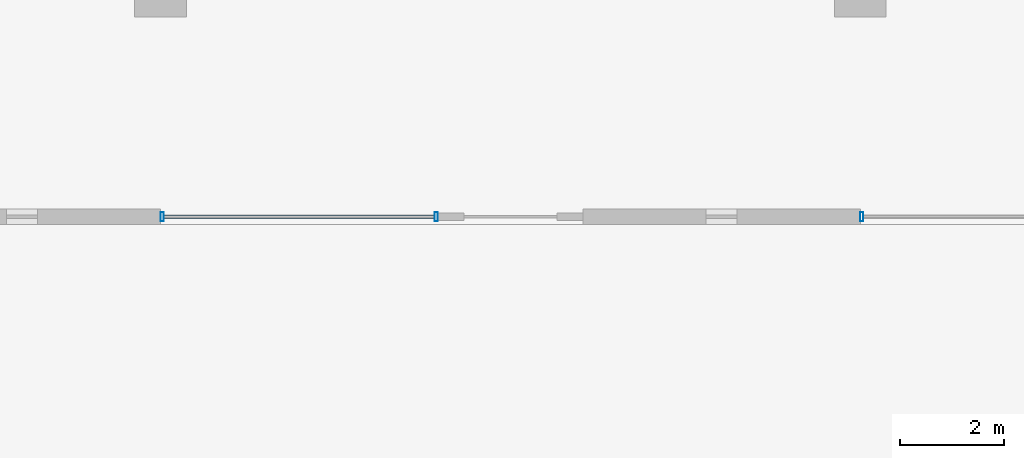
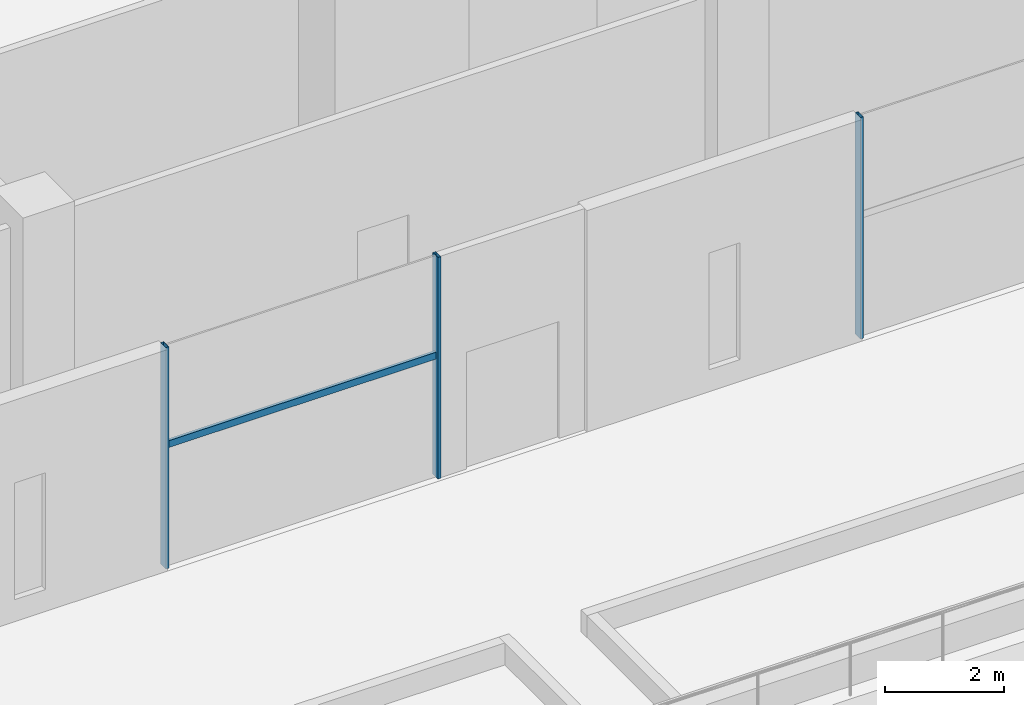
# One storey, part 5 of 49: 4 members, 2 elements without a shape of their own.
"""IFC4 building model written with IfcOpenShell, lengths in metres."""

from ifc_helpers import new_model, si_unit, direction, frame, origin, origin_2d, place, context, subcontext, project, spatial, hollow_rectangle, extrude, material, material_profile, profile_set, type_object, element, aggregate, save


model = new_model("IFC4")

# Units and contexts
model_context = context("Model", 3, precision=1e-05, world=origin(), true_north=direction((0.0, 1.0)))
body_context = subcontext(model_context, "Body", "Model", "MODEL_VIEW")
ifc_project = project(units=[si_unit("LENGTHUNIT", "METRE"), si_unit("AREAUNIT", "SQUARE_METRE"), si_unit("VOLUMEUNIT", "CUBIC_METRE"), si_unit("PLANEANGLEUNIT", "RADIAN"), si_unit("MASSUNIT", "GRAM", prefix="KILO")], contexts=[model_context])

# Site, building, storey
site_placement = place(None, origin())
site = spatial("IfcSite", under=ifc_project, at=site_placement, CompositionType="ELEMENT")
building_placement = place(site_placement, origin())
building = spatial("IfcBuilding", under=site, at=building_placement, Name="Altepetl Exchange Towers", CompositionType="ELEMENT")
storey_placement = place(building_placement, frame((0.0, 0.0, 11.5)))
storey = spatial("IfcBuildingStorey", under=building, at=storey_placement, Name="L02 Exchange podium", CompositionType="ELEMENT", Elevation=11.5)

# Curtain wall, members
ifc_material_1 = material(Name="Aluminium 6063-T6 glazing", Category="aluminium")
curtain_wall_type = type_object("IfcCurtainWallType", Name="Podium storefront system", PredefinedType="NOTDEFINED", material=ifc_material_1)
curtain_wall_1_placement = place(storey_placement, origin())
curtain_wall_1 = element("IfcCurtainWall", 1, at=curtain_wall_1_placement, inside=storey, type_object=curtain_wall_type, Name="CW5 run", PredefinedType="NOTDEFINED")
ifc_material_2 = material(Name="Aluminium 6063-T6", Category="aluminium")
ifc_material_profile_1 = material_profile(ifc_material_2, hollow_rectangle(XDim=0.06005859375, YDim=0.175048828125, WallThickness=0.0029296875, at=origin_2d()), Name="Mullion 60x175 aluminium")
ifc_profile_set_1 = profile_set([ifc_material_profile_1], Name="Aluminium 6063-T6")
member_type_1 = type_object("IfcMemberType", Name="Mullion 60x175 aluminium", PredefinedType="MULLION", material=ifc_profile_set_1)
member_1_placement = place(storey_placement, frame((49.530029296875, 18.14990234375, 0.0)))
member_1 = element("IfcMember", 2, at=member_1_placement, type_object=member_type_1, Name="MU4 mullion", PredefinedType="MULLION", context=body_context, shape_type="SweptSolid", body=[
    extrude(hollow_rectangle(XDim=0.06005859375, YDim=0.175048828125, WallThickness=0.0029296875, at=origin_2d()), origin(), (0.0, 0.0, 1.0), 4.550048828125),
])
member_2_placement = place(storey_placement, frame((54.820068359375, 18.14990234375, 0.0)))
member_2 = element("IfcMember", 3, at=member_2_placement, type_object=member_type_1, Name="MU4 mullion", PredefinedType="MULLION", context=body_context, shape_type="SweptSolid", body=[
    extrude(hollow_rectangle(XDim=0.06005859375, YDim=0.175048828125, WallThickness=0.0029296875, at=origin_2d()), origin(), (0.0, 0.0, 1.0), 4.550048828125),
])

# Curtain wall, member
curtain_wall_2_placement = place(storey_placement, origin())
curtain_wall_2 = element("IfcCurtainWall", 4, at=curtain_wall_2_placement, inside=storey, type_object=curtain_wall_type, Name="CW5 run", PredefinedType="NOTDEFINED")
member_3_placement = place(storey_placement, frame((63.030029296875, 18.14990234375, 0.0)))
member_3 = element("IfcMember", 5, at=member_3_placement, type_object=member_type_1, Name="MU4 mullion", PredefinedType="MULLION", context=body_context, shape_type="SweptSolid", body=[
    extrude(hollow_rectangle(XDim=0.06005859375, YDim=0.175048828125, WallThickness=0.0029296875, at=origin_2d()), origin(), (0.0, 0.0, 1.0), 4.550048828125),
])
aggregate(curtain_wall_2, [member_3])

# Member
ifc_material_profile_2 = material_profile(ifc_material_2, hollow_rectangle(XDim=0.06005859375, YDim=0.139892578125, WallThickness=0.0029296875, at=origin_2d()), Name="Transom 60x140 aluminium")
ifc_profile_set_2 = profile_set([ifc_material_profile_2], Name="Aluminium 6063-T6")
member_type_2 = type_object("IfcMemberType", Name="Transom 60x140 aluminium", PredefinedType="USERDEFINED", material=ifc_profile_set_2)
member_4_placement = place(storey_placement, frame((49.56005859375, 18.14990234375, 2.5), z_axis=(1.0, 0.0, 0.0), x_axis=(0.0, 1.0, 0.0)))
member_4 = element("IfcMember", 6, at=member_4_placement, type_object=member_type_2, Name="TR3 transom", ObjectType="TRANSOM", PredefinedType="USERDEFINED", context=body_context, shape_type="SweptSolid", body=[
    extrude(hollow_rectangle(XDim=0.06005859375, YDim=0.139892578125, WallThickness=0.0029296875, at=origin_2d()), origin(), (0.0, 0.0, 1.0), 5.22998046875),
])

aggregate(curtain_wall_1, [member_1, member_2, member_4])

save(model, "model.ifc")
